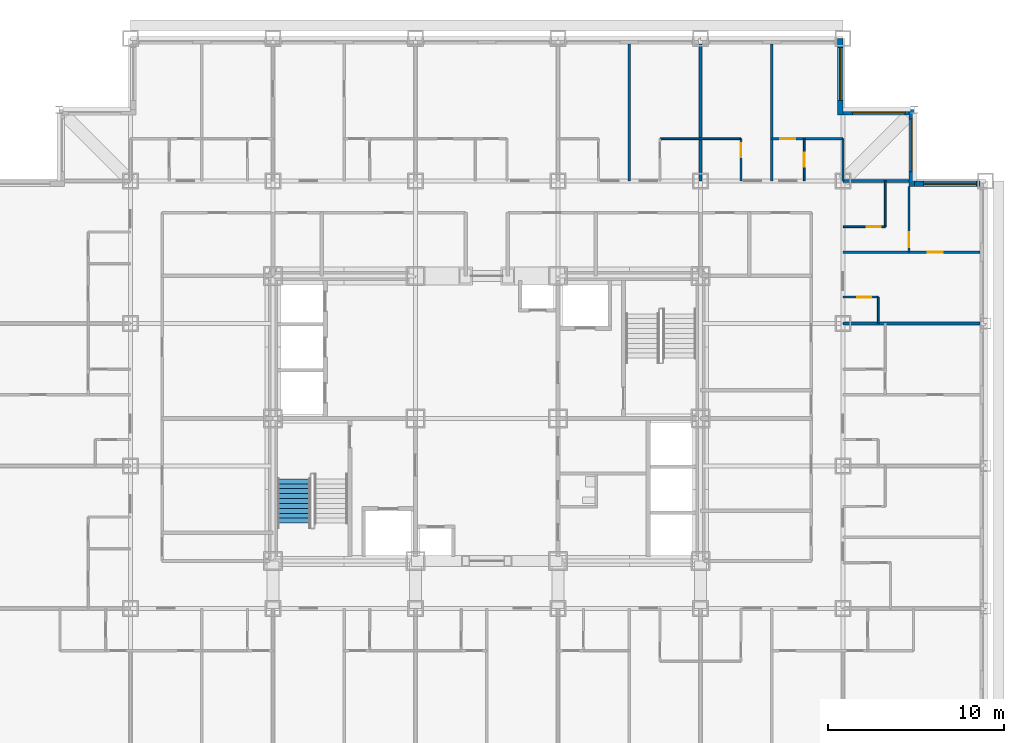
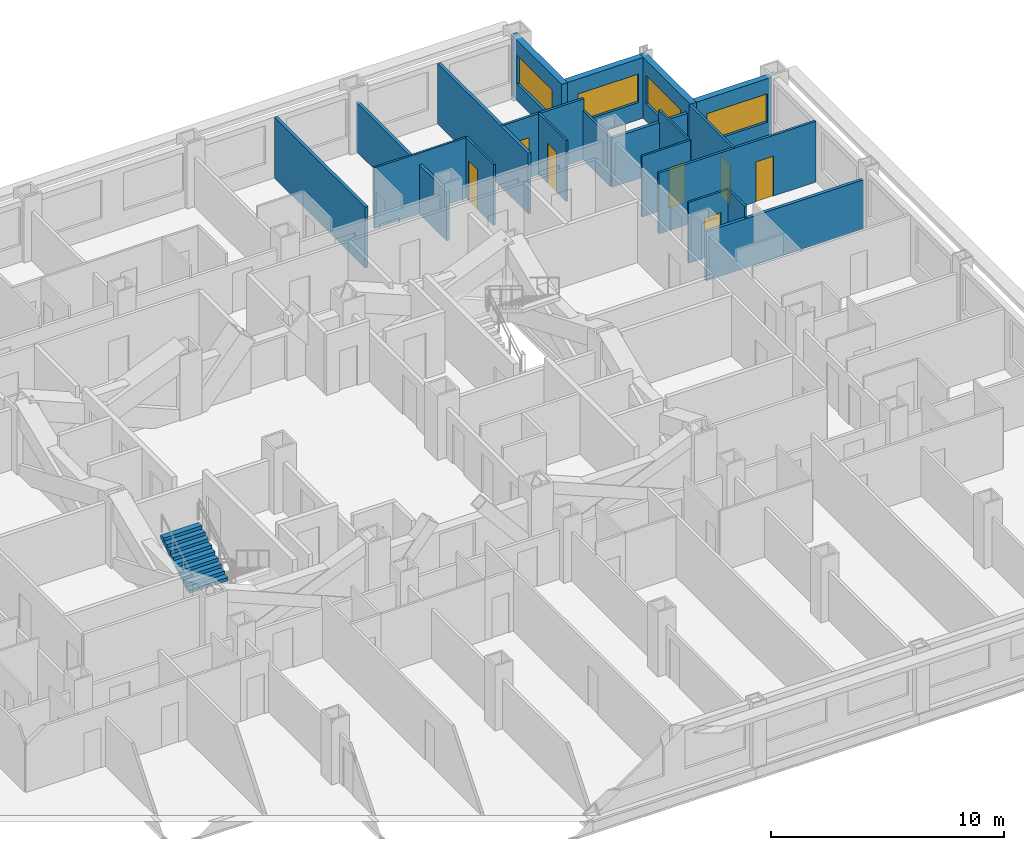
# One storey, part 11 of 14: 20 walls, 7 doors, 4 windows, 1 stair flight, 11 openings, 1 element without a shape of its own.
"""IFC4 building model written with IfcOpenShell, lengths in metres."""

from ifc_helpers import new_model, si_unit, direction, frame, frame_2d, origin, place, context, subcontext, project, spatial, rectangle, extrude, polygons, source, transform, mapped, material, layer, layer_set, type_object, element, fill, aggregate, save


model = new_model("IFC4")

# Units and contexts
model_context = context("Model", 3, precision=1e-05, world=origin(), true_north=direction((0.0, 1.0)))
body_context = subcontext(model_context, "Body", "Model", "MODEL_VIEW")
ifc_project = project(units=[si_unit("LENGTHUNIT", "METRE"), si_unit("AREAUNIT", "SQUARE_METRE"), si_unit("VOLUMEUNIT", "CUBIC_METRE"), si_unit("PLANEANGLEUNIT", "RADIAN"), si_unit("MASSUNIT", "GRAM", prefix="KILO")], contexts=[model_context])

# Site, building, storey
site_placement = place(None, origin())
site = spatial("IfcSite", under=ifc_project, at=site_placement, CompositionType="ELEMENT")
building_placement = place(site_placement, origin())
building = spatial("IfcBuilding", under=site, at=building_placement, Name="Kopane Lantern Tower", CompositionType="ELEMENT")
storey_placement = place(building_placement, frame((0.0, 0.0, 123.800048828125)))
storey = spatial("IfcBuildingStorey", under=building, at=storey_placement, Name="L31", CompositionType="ELEMENT", Elevation=123.800048828125)

# Wall, opening, door
ifc_material_1 = material(Name="Gypsum board on steel studs", Category="steel")
ifc_layer_1 = layer(ifc_material_1, 0.1201171875)
ifc_layer_set_1 = layer_set([ifc_layer_1], Name="APARTMENT INTERNAL WALL 120")
wall_type_1 = type_object("IfcWallType", Name="APARTMENT INTERNAL WALL 120", PredefinedType="PARTITIONING", material=ifc_layer_set_1)
wall_1_placement = place(storey_placement, frame((48.60009765625, 41.85009765625, 0.0), z_axis=(0.0, 0.0, 1.0), x_axis=(1.0, 0.0, 0.0)))
wall_1 = element("IfcWall", 1, at=wall_1_placement, inside=storey, type_object=wall_type_1, Name="Apartment Internal Wall 120 L31", PredefinedType="PARTITIONING", context=body_context, shape_type="SweptSolid", body=[
    extrude(rectangle(XDim=7.7998046875, YDim=0.1201171875, at=frame_2d((3.89990234375, 0.0))), origin(), (0.0, 0.0, 1.0), 3.18994140625),
])
opening_1_placement = place(wall_1_placement, frame((4.824951171875, 0.0, 0.0)))
opening_1 = element("IfcOpeningElement", 2, at=opening_1_placement, cuts=wall_1, Name="Opening L31-064", PredefinedType="OPENING", context=body_context, shape_type="SweptSolid", body=[
    extrude(rectangle(XDim=0.85009765625, YDim=2.10009765625, at=frame_2d((0.425048828125, 1.050048828125))), frame((0.0, 0.070068359375, 0.0), z_axis=(0.0, -1.0, 0.0), x_axis=(1.0, 0.0, 0.0)), (0.0, 0.0, 1.0), 0.14013671875),
])
ifc_material_2 = material(Name="Timber door set", Category="wood")
door_type_1 = type_object("IfcDoorType", Name="DOOR D4 850x2100", OperationType="SINGLE_SWING_LEFT", PredefinedType="DOOR", material=ifc_material_2)
door_1_placement = place(opening_1_placement, origin())
door_1 = element("IfcDoor", 3, at=door_1_placement, inside=storey, type_object=door_type_1, Name="Door L31-064", OperationType="SINGLE_SWING_LEFT", OverallHeight=2.10009765625, OverallWidth=0.85009765625, PredefinedType="DOOR", context=body_context, shape_type="SweptSolid", body=[
    extrude(rectangle(XDim=0.85009765625, YDim=2.10009765625, at=frame_2d((0.425048828125, 1.050048828125))), frame((0.0, 0.02490234375, 0.0), z_axis=(0.0, -1.0, 0.0), x_axis=(1.0, 0.0, 0.0)), (0.0, 0.0, 1.0), 0.050048828125),
])
fill(opening_1, door_1)

wall_2_placement = place(storey_placement, frame((44.550048828125, 48.300048828125, 0.0), z_axis=(0.0, 0.0, 1.0), x_axis=(1.0, 0.0, 0.0)))
wall_2 = element("IfcWall", 4, at=wall_2_placement, inside=storey, type_object=wall_type_1, Name="Apartment Internal Wall 120 L31", PredefinedType="PARTITIONING", context=body_context, shape_type="SweptSolid", body=[
    extrude(rectangle(XDim=4.050048828125, YDim=0.1201171875, at=frame_2d((2.02490234375, 0.0))), origin(), (0.0, 0.0, 1.0), 3.18994140625),
])
opening_2_placement = place(wall_2_placement, frame((0.47509765625, 0.0, 0.0)))
opening_2 = element("IfcOpeningElement", 5, at=opening_2_placement, cuts=wall_2, Name="Opening L31-075", PredefinedType="OPENING", context=body_context, shape_type="SweptSolid", body=[
    extrude(rectangle(XDim=0.85009765625, YDim=2.10009765625, at=frame_2d((0.425048828125, 1.050048828125))), frame((0.0, 0.070068359375, 0.0), z_axis=(0.0, -1.0, 0.0), x_axis=(1.0, 0.0, 0.0)), (0.0, 0.0, 1.0), 0.14013671875),
])
door_2_placement = place(opening_2_placement, origin())
door_2 = element("IfcDoor", 6, at=door_2_placement, inside=storey, type_object=door_type_1, Name="Door L31-075", OperationType="SINGLE_SWING_LEFT", OverallHeight=2.10009765625, OverallWidth=0.85009765625, PredefinedType="DOOR", context=body_context, shape_type="SweptSolid", body=[
    extrude(rectangle(XDim=0.85009765625, YDim=2.10009765625, at=frame_2d((0.425048828125, 1.050048828125))), frame((0.0, 0.02490234375, 0.0), z_axis=(0.0, -1.0, 0.0), x_axis=(1.0, 0.0, 0.0)), (0.0, 0.0, 1.0), 0.050048828125),
])
fill(opening_2, door_2)

wall_3_placement = place(storey_placement, frame((52.35009765625, 45.60009765625, 0.0), z_axis=(0.0, 0.0, 1.0), x_axis=(0.0, -1.0, 0.0)))
wall_3 = element("IfcWall", 7, at=wall_3_placement, inside=storey, type_object=wall_type_1, Name="Apartment Internal Wall 120 L31", PredefinedType="PARTITIONING", context=body_context, shape_type="SweptSolid", body=[
    extrude(rectangle(XDim=3.75, YDim=0.1201171875, at=frame_2d((1.875, 0.0))), origin(), (0.0, 0.0, 1.0), 3.18994140625),
])
opening_3_placement = place(wall_3_placement, frame((2.625, 0.0, 0.0)))
opening_3 = element("IfcOpeningElement", 8, at=opening_3_placement, cuts=wall_3, Name="Opening L31-087", PredefinedType="OPENING", context=body_context, shape_type="SweptSolid", body=[
    extrude(rectangle(XDim=0.85009765625, YDim=2.10009765625, at=frame_2d((0.425048828125, 1.050048828125))), frame((0.0, 0.070068359375, 0.0), z_axis=(0.0, -1.0, 0.0), x_axis=(1.0, 0.0, 0.0)), (0.0, 0.0, 1.0), 0.14013671875),
])
door_3_placement = place(opening_3_placement, origin())
door_3 = element("IfcDoor", 9, at=door_3_placement, inside=storey, type_object=door_type_1, Name="Door L31-087", OperationType="SINGLE_SWING_RIGHT", OverallHeight=2.10009765625, OverallWidth=0.85009765625, PredefinedType="DOOR", context=body_context, shape_type="SweptSolid", body=[
    extrude(rectangle(XDim=0.85009765625, YDim=2.10009765625, at=frame_2d((0.425048828125, 1.050048828125))), frame((0.0, 0.02490234375, 0.0), z_axis=(0.0, -1.0, 0.0), x_axis=(1.0, 0.0, 0.0)), (0.0, 0.0, 1.0), 0.050048828125),
])
fill(opening_3, door_3)

# Wall
ifc_material_3 = material(Name="Moisture-resistant board on steel studs", Category="steel")
ifc_layer_2 = layer(ifc_material_3, 0.10009765625)
ifc_layer_set_2 = layer_set([ifc_layer_2], Name="BATHROOM WALL 100")
wall_type_2 = type_object("IfcWallType", Name="BATHROOM WALL 100", PredefinedType="PARTITIONING", material=ifc_layer_set_2)
wall_4_placement = place(storey_placement, frame((38.199951171875, 48.300048828125, 0.0), z_axis=(0.0, 0.0, 1.0), x_axis=(1.0, 0.0, 0.0)))
element("IfcWall", 10, at=wall_4_placement, inside=storey, type_object=wall_type_2, Name="Bathroom Wall 100 L31", PredefinedType="PARTITIONING", context=body_context, shape_type="SweptSolid", body=[
    extrude(rectangle(XDim=4.60009765625, YDim=0.10009765625, at=frame_2d((2.300048828125, 0.0))), origin(), (0.0, 0.0, 1.0), 3.18994140625),
])

# Wall, opening, door
wall_5_placement = place(storey_placement, frame((42.800048828125, 45.89990234375, 0.0), z_axis=(0.0, 0.0, 1.0), x_axis=(0.0, 1.0, 0.0)))
wall_5 = element("IfcWall", 11, at=wall_5_placement, inside=storey, type_object=wall_type_2, Name="Bathroom Wall 100 L31", PredefinedType="PARTITIONING", context=body_context, shape_type="SweptSolid", body=[
    extrude(rectangle(XDim=2.400146484375, YDim=0.10009765625, at=frame_2d((1.2001953125, 0.0))), origin(), (0.0, 0.0, 1.0), 3.18994140625),
])
opening_4_placement = place(wall_5_placement, frame((1.35009765625, 0.0, 0.0)))
opening_4 = element("IfcOpeningElement", 12, at=opening_4_placement, cuts=wall_5, Name="Opening L31-041", PredefinedType="OPENING", context=body_context, shape_type="SweptSolid", body=[
    extrude(rectangle(XDim=0.800048828125, YDim=2.10009765625, at=frame_2d((0.39990234375, 1.050048828125))), frame((0.0, 0.06005859375, 0.0), z_axis=(0.0, -1.0, 0.0), x_axis=(1.0, 0.0, 0.0)), (0.0, 0.0, 1.0), 0.1201171875),
])
ifc_material_4 = material(Name="Timber door set", Category="wood")
door_type_2 = type_object("IfcDoorType", Name="DOOR D2 800x2100", OperationType="SINGLE_SWING_LEFT", PredefinedType="DOOR", material=ifc_material_4)
door_4_placement = place(opening_4_placement, origin())
door_4 = element("IfcDoor", 13, at=door_4_placement, inside=storey, type_object=door_type_2, Name="Door L31-041", OperationType="SINGLE_SWING_RIGHT", OverallHeight=2.10009765625, OverallWidth=0.800048828125, PredefinedType="DOOR", context=body_context, shape_type="SweptSolid", body=[
    extrude(rectangle(XDim=0.800048828125, YDim=2.10009765625, at=frame_2d((0.39990234375, 1.050048828125))), frame((0.0, 0.02490234375, 0.0), z_axis=(0.0, -1.0, 0.0), x_axis=(1.0, 0.0, 0.0)), (0.0, 0.0, 1.0), 0.050048828125),
])
fill(opening_4, door_4)

# Wall
wall_6_placement = place(storey_placement, frame((50.60009765625, 37.800048828125, 0.0), z_axis=(0.0, 0.0, 1.0), x_axis=(0.0, 1.0, 0.0)))
element("IfcWall", 14, at=wall_6_placement, inside=storey, type_object=wall_type_2, Name="Bathroom Wall 100 L31", PredefinedType="PARTITIONING", context=body_context, shape_type="SweptSolid", body=[
    extrude(rectangle(XDim=1.5, YDim=0.10009765625, at=frame_2d((0.75, 0.0))), origin(), (0.0, 0.0, 1.0), 3.18994140625),
])

# Wall, opening, door
wall_7_placement = place(storey_placement, frame((48.60009765625, 39.300048828125, 0.0), z_axis=(0.0, 0.0, 1.0), x_axis=(1.0, 0.0, 0.0)))
wall_7 = element("IfcWall", 15, at=wall_7_placement, inside=storey, type_object=wall_type_2, Name="Bathroom Wall 100 L31", PredefinedType="PARTITIONING", context=body_context, shape_type="SweptSolid", body=[
    extrude(rectangle(XDim=2.0, YDim=0.10009765625, at=frame_2d((1.0, 0.0))), origin(), (0.0, 0.0, 1.0), 3.18994140625),
])
opening_5_placement = place(wall_7_placement, frame((0.800048828125, 0.0, 0.0)))
opening_5 = element("IfcOpeningElement", 16, at=opening_5_placement, cuts=wall_7, Name="Opening L31-061", PredefinedType="OPENING", context=body_context, shape_type="SweptSolid", body=[
    extrude(rectangle(XDim=0.800048828125, YDim=2.10009765625, at=frame_2d((0.39990234375, 1.050048828125))), frame((0.0, 0.06005859375, 0.0), z_axis=(0.0, -1.0, 0.0), x_axis=(1.0, 0.0, 0.0)), (0.0, 0.0, 1.0), 0.1201171875),
])
door_5_placement = place(opening_5_placement, origin())
door_5 = element("IfcDoor", 17, at=door_5_placement, inside=storey, type_object=door_type_2, Name="Door L31-061", OperationType="SINGLE_SWING_LEFT", OverallHeight=2.10009765625, OverallWidth=0.800048828125, PredefinedType="DOOR", context=body_context, shape_type="SweptSolid", body=[
    extrude(rectangle(XDim=0.800048828125, YDim=2.10009765625, at=frame_2d((0.39990234375, 1.050048828125))), frame((0.0, 0.02490234375, 0.0), z_axis=(0.0, -1.0, 0.0), x_axis=(1.0, 0.0, 0.0)), (0.0, 0.0, 1.0), 0.050048828125),
])
fill(opening_5, door_5)

# Wall
wall_8_placement = place(storey_placement, frame((51.0, 43.300048828125, 0.0), z_axis=(0.0, 0.0, 1.0), x_axis=(0.0, 1.0, 0.0)))
element("IfcWall", 18, at=wall_8_placement, inside=storey, type_object=wall_type_2, Name="Bathroom Wall 100 L31", PredefinedType="PARTITIONING", context=body_context, shape_type="SweptSolid", body=[
    extrude(rectangle(XDim=2.599853515625, YDim=0.10009765625, at=frame_2d((1.2998046875, 0.0))), origin(), (0.0, 0.0, 1.0), 3.18994140625),
])

# Wall, opening, door
wall_9_placement = place(storey_placement, frame((48.60009765625, 43.300048828125, 0.0), z_axis=(0.0, 0.0, 1.0), x_axis=(1.0, 0.0, 0.0)))
wall_9 = element("IfcWall", 19, at=wall_9_placement, inside=storey, type_object=wall_type_2, Name="Bathroom Wall 100 L31", PredefinedType="PARTITIONING", context=body_context, shape_type="SweptSolid", body=[
    extrude(rectangle(XDim=2.39990234375, YDim=0.10009765625, at=frame_2d((1.199951171875, 0.0))), origin(), (0.0, 0.0, 1.0), 3.18994140625),
])
opening_6_placement = place(wall_9_placement, frame((1.35009765625, 0.0, 0.0)))
opening_6 = element("IfcOpeningElement", 20, at=opening_6_placement, cuts=wall_9, Name="Opening L31-063", PredefinedType="OPENING", context=body_context, shape_type="SweptSolid", body=[
    extrude(rectangle(XDim=0.800048828125, YDim=2.10009765625, at=frame_2d((0.39990234375, 1.050048828125))), frame((0.0, 0.06005859375, 0.0), z_axis=(0.0, -1.0, 0.0), x_axis=(1.0, 0.0, 0.0)), (0.0, 0.0, 1.0), 0.1201171875),
])
door_6_placement = place(opening_6_placement, origin())
door_6 = element("IfcDoor", 21, at=door_6_placement, inside=storey, type_object=door_type_2, Name="Door L31-063", OperationType="SINGLE_SWING_RIGHT", OverallHeight=2.10009765625, OverallWidth=0.800048828125, PredefinedType="DOOR", context=body_context, shape_type="SweptSolid", body=[
    extrude(rectangle(XDim=0.800048828125, YDim=2.10009765625, at=frame_2d((0.39990234375, 1.050048828125))), frame((0.0, 0.02490234375, 0.0), z_axis=(0.0, -1.0, 0.0), x_axis=(1.0, 0.0, 0.0)), (0.0, 0.0, 1.0), 0.050048828125),
])
fill(opening_6, door_6)

wall_10_placement = place(storey_placement, frame((46.39990234375, 45.89990234375, 0.0), z_axis=(0.0, 0.0, 1.0), x_axis=(0.0, 1.0, 0.0)))
wall_10 = element("IfcWall", 22, at=wall_10_placement, inside=storey, type_object=wall_type_2, Name="Bathroom Wall 100 L31", PredefinedType="PARTITIONING", context=body_context, shape_type="SweptSolid", body=[
    extrude(rectangle(XDim=2.400146484375, YDim=0.10009765625, at=frame_2d((1.2001953125, 0.0))), origin(), (0.0, 0.0, 1.0), 3.18994140625),
])
opening_7_placement = place(wall_10_placement, frame((0.800048828125, 0.0, 0.0)))
opening_7 = element("IfcOpeningElement", 23, at=opening_7_placement, cuts=wall_10, Name="Opening L31-073", PredefinedType="OPENING", context=body_context, shape_type="SweptSolid", body=[
    extrude(rectangle(XDim=0.800048828125, YDim=2.10009765625, at=frame_2d((0.39990234375, 1.050048828125))), frame((0.0, 0.06005859375, 0.0), z_axis=(0.0, -1.0, 0.0), x_axis=(1.0, 0.0, 0.0)), (0.0, 0.0, 1.0), 0.1201171875),
])
door_7_placement = place(opening_7_placement, origin())
door_7 = element("IfcDoor", 24, at=door_7_placement, inside=storey, type_object=door_type_2, Name="Door L31-073", OperationType="SINGLE_SWING_RIGHT", OverallHeight=2.10009765625, OverallWidth=0.800048828125, PredefinedType="DOOR", context=body_context, shape_type="SweptSolid", body=[
    extrude(rectangle(XDim=0.800048828125, YDim=2.10009765625, at=frame_2d((0.39990234375, 1.050048828125))), frame((0.0, 0.02490234375, 0.0), z_axis=(0.0, -1.0, 0.0), x_axis=(1.0, 0.0, 0.0)), (0.0, 0.0, 1.0), 0.050048828125),
])
fill(opening_7, door_7)

# Walls
wall_11_placement = place(storey_placement, frame((48.60009765625, 45.89990234375, 0.0), z_axis=(0.0, 0.0, 1.0), x_axis=(0.0, 1.0, 0.0)))
element("IfcWall", 25, at=wall_11_placement, inside=storey, type_object=wall_type_2, Name="Bathroom Wall 100 L31", PredefinedType="PARTITIONING", context=body_context, shape_type="SweptSolid", body=[
    extrude(rectangle(XDim=2.400146484375, YDim=0.10009765625, at=frame_2d((1.2001953125, 0.0))), origin(), (0.0, 0.0, 1.0), 2.57763671875),
])
ifc_material_5 = material(Name="Gypsum board on steel studs", Category="steel")
ifc_layer_3 = layer(ifc_material_5, 0.14990234375)
ifc_layer_set_3 = layer_set([ifc_layer_3], Name="DEMISING WALL 150 EI 60")
wall_type_3 = type_object("IfcWallType", Name="DEMISING WALL 150 EI 60", PredefinedType="PARTITIONING", material=ifc_layer_set_3)
wall_12_placement = place(storey_placement, frame((36.449951171875, 45.89990234375, 0.0), z_axis=(0.0, 0.0, 1.0), x_axis=(0.0, 1.0, 0.0)))
element("IfcWall", 26, at=wall_12_placement, inside=storey, type_object=wall_type_3, Name="Demising Wall 150 Ei 60 L31", PredefinedType="PARTITIONING", context=body_context, shape_type="SweptSolid", body=[
    extrude(rectangle(XDim=7.800048828125, YDim=0.14990234375, at=frame_2d((3.89990234375, 0.0))), origin(), (0.0, 0.0, 1.0), 3.18994140625),
])
wall_13_placement = place(storey_placement, frame((40.5, 45.89990234375, 0.0), z_axis=(0.0, 0.0, 1.0), x_axis=(0.0, 1.0, 0.0)))
element("IfcWall", 27, at=wall_13_placement, inside=storey, type_object=wall_type_3, Name="Demising Wall 150 Ei 60 L31", PredefinedType="PARTITIONING", context=body_context, shape_type="SweptSolid", body=[
    extrude(rectangle(XDim=7.800048828125, YDim=0.14990234375, at=frame_2d((3.89990234375, 0.0))), origin(), (0.0, 0.0, 1.0), 2.57763671875),
])
wall_14_placement = place(storey_placement, frame((48.60009765625, 37.800048828125, 0.0), z_axis=(0.0, 0.0, 1.0), x_axis=(1.0, 0.0, 0.0)))
element("IfcWall", 28, at=wall_14_placement, inside=storey, type_object=wall_type_3, Name="Demising Wall 150 Ei 60 L31", PredefinedType="PARTITIONING", context=body_context, shape_type="SweptSolid", body=[
    extrude(rectangle(XDim=7.7998046875, YDim=0.14990234375, at=frame_2d((3.89990234375, 0.0))), origin(), (0.0, 0.0, 1.0), 2.57763671875),
])
wall_15_placement = place(storey_placement, frame((48.60009765625, 45.89990234375, 0.0), z_axis=(0.0, 0.0, 1.0), x_axis=(1.0, 0.0, 0.0)))
element("IfcWall", 29, at=wall_15_placement, inside=storey, type_object=wall_type_3, Name="Demising Wall 150 Ei 60 L31", PredefinedType="PARTITIONING", context=body_context, shape_type="SweptSolid", body=[
    extrude(rectangle(XDim=3.75, YDim=0.14990234375, at=frame_2d((1.875, 0.0))), origin(), (0.0, 0.0, 1.0), 2.57763671875),
])
wall_16_placement = place(storey_placement, frame((44.550048828125, 45.89990234375, 0.0), z_axis=(0.0, 0.0, 1.0), x_axis=(0.0, 1.0, 0.0)))
element("IfcWall", 30, at=wall_16_placement, inside=storey, type_object=wall_type_3, Name="Demising Wall 150 Ei 60 L31", PredefinedType="PARTITIONING", context=body_context, shape_type="SweptSolid", body=[
    extrude(rectangle(XDim=7.800048828125, YDim=0.14990234375, at=frame_2d((3.89990234375, 0.0))), origin(), (0.0, 0.0, 1.0), 3.18994140625),
])

# Wall, opening, window
ifc_material_6 = material(Name="Terracotta rainscreen on light steel framing", Category="masonry")
ifc_layer_4 = layer(ifc_material_6, 0.300048828125)
ifc_layer_set_4 = layer_set([ifc_layer_4], Name="EXTERNAL WALL EW1 300 TERRACOTTA")
wall_type_4 = type_object("IfcWallType", Name="EXTERNAL WALL EW1 300 TERRACOTTA", PredefinedType="SOLIDWALL", material=ifc_layer_set_4)
wall_17_placement = place(storey_placement, frame((56.39990234375, 45.75, 0.0), z_axis=(0.0, 0.0, 1.0), x_axis=(-1.0, 0.0, 0.0)))
wall_17 = element("IfcWall", 31, at=wall_17_placement, inside=storey, type_object=wall_type_4, Name="External wall N L31", PredefinedType="SOLIDWALL", context=body_context, shape_type="SweptSolid", body=[
    extrude(rectangle(XDim=3.75, YDim=0.300048828125, at=frame_2d((1.875, 0.0))), origin(), (0.0, 0.0, 1.0), 3.18994140625),
])
opening_8_placement = place(wall_17_placement, frame((0.22509765625, 0.0, 0.89990234375)))
opening_8 = element("IfcOpeningElement", 32, at=opening_8_placement, cuts=wall_17, Name="Opening WR300150", PredefinedType="OPENING", context=body_context, shape_type="SweptSolid", body=[
    extrude(rectangle(XDim=3.0, YDim=1.5, at=frame_2d((1.5, 0.75))), frame((0.0, 0.159912109375, 0.0), z_axis=(0.0, -1.0, 0.0), x_axis=(1.0, 0.0, 0.0)), (0.0, 0.0, 1.0), 0.320068359375),
])
ifc_material_7 = material(Name="Aluminium and clear glass", Category="aluminium")
window_type = type_object("IfcWindowType", Name="RIBBON WINDOW WR300150 3000x1500", PartitioningType="SINGLE_PANEL", PredefinedType="WINDOW", material=ifc_material_7)
window_1_placement = place(opening_8_placement, origin())
window_1 = element("IfcWindow", 33, at=window_1_placement, inside=storey, type_object=window_type, Name="Window N L31", OverallHeight=1.5, OverallWidth=3.0, PartitioningType="SINGLE_PANEL", PredefinedType="WINDOW", context=body_context, shape_type="SweptSolid", body=[
    extrude(rectangle(XDim=3.0, YDim=1.5, at=frame_2d((1.5, 0.75))), frame((0.0, 0.030029296875, 0.0), z_axis=(0.0, -1.0, 0.0), x_axis=(1.0, 0.0, 0.0)), (0.0, 0.0, 1.0), 0.06005859375),
])
fill(opening_8, window_1)

wall_18_placement = place(storey_placement, frame((52.5, 45.60009765625, 0.0), z_axis=(0.0, 0.0, 1.0), x_axis=(0.0, 1.0, 0.0)))
wall_18 = element("IfcWall", 34, at=wall_18_placement, inside=storey, type_object=wall_type_4, Name="External wall E L31", PredefinedType="SOLIDWALL", context=body_context, shape_type="SweptSolid", body=[
    extrude(rectangle(XDim=4.349853515625, YDim=0.300048828125, at=frame_2d((2.1748046875, 0.0))), origin(), (0.0, 0.0, 1.0), 3.18994140625),
])
opening_9_placement = place(wall_18_placement, frame((0.824951171875, 0.0, 0.89990234375)))
opening_9 = element("IfcOpeningElement", 35, at=opening_9_placement, cuts=wall_18, Name="Opening WR300150", PredefinedType="OPENING", context=body_context, shape_type="SweptSolid", body=[
    extrude(rectangle(XDim=3.0, YDim=1.5, at=frame_2d((1.5, 0.75))), frame((0.0, 0.159912109375, 0.0), z_axis=(0.0, -1.0, 0.0), x_axis=(1.0, 0.0, 0.0)), (0.0, 0.0, 1.0), 0.320068359375),
])
window_2_placement = place(opening_9_placement, origin())
window_2 = element("IfcWindow", 36, at=window_2_placement, inside=storey, type_object=window_type, Name="Window E L31", OverallHeight=1.5, OverallWidth=3.0, PartitioningType="SINGLE_PANEL", PredefinedType="WINDOW", context=body_context, shape_type="SweptSolid", body=[
    extrude(rectangle(XDim=3.0, YDim=1.5, at=frame_2d((1.5, 0.75))), frame((0.0, 0.030029296875, 0.0), z_axis=(0.0, -1.0, 0.0), x_axis=(1.0, 0.0, 0.0)), (0.0, 0.0, 1.0), 0.06005859375),
])
fill(opening_9, window_2)

wall_19_placement = place(storey_placement, frame((52.35009765625, 49.800048828125, 0.0), z_axis=(0.0, 0.0, 1.0), x_axis=(-1.0, 0.0, 0.0)))
wall_19 = element("IfcWall", 37, at=wall_19_placement, inside=storey, type_object=wall_type_4, Name="External wall N L31", PredefinedType="SOLIDWALL", context=body_context, shape_type="SweptSolid", body=[
    extrude(rectangle(XDim=3.75, YDim=0.300048828125, at=frame_2d((1.875, 0.0))), origin(), (0.0, 0.0, 1.0), 3.18994140625),
])
opening_10_placement = place(wall_19_placement, frame((0.22509765625, 0.0, 0.89990234375)))
opening_10 = element("IfcOpeningElement", 38, at=opening_10_placement, cuts=wall_19, Name="Opening WR300150", PredefinedType="OPENING", context=body_context, shape_type="SweptSolid", body=[
    extrude(rectangle(XDim=3.0, YDim=1.5, at=frame_2d((1.5, 0.75))), frame((0.0, 0.159912109375, 0.0), z_axis=(0.0, -1.0, 0.0), x_axis=(1.0, 0.0, 0.0)), (0.0, 0.0, 1.0), 0.320068359375),
])
window_3_placement = place(opening_10_placement, origin())
window_3 = element("IfcWindow", 39, at=window_3_placement, inside=storey, type_object=window_type, Name="Window N L31", OverallHeight=1.5, OverallWidth=3.0, PartitioningType="SINGLE_PANEL", PredefinedType="WINDOW", context=body_context, shape_type="SweptSolid", body=[
    extrude(rectangle(XDim=3.0, YDim=1.5, at=frame_2d((1.5, 0.75))), frame((0.0, 0.030029296875, 0.0), z_axis=(0.0, -1.0, 0.0), x_axis=(1.0, 0.0, 0.0)), (0.0, 0.0, 1.0), 0.06005859375),
])
fill(opening_10, window_3)

wall_20_placement = place(storey_placement, frame((48.449951171875, 49.64990234375, 0.0), z_axis=(0.0, 0.0, 1.0), x_axis=(0.0, 1.0, 0.0)))
wall_20 = element("IfcWall", 40, at=wall_20_placement, inside=storey, type_object=wall_type_4, Name="External wall E L31", PredefinedType="SOLIDWALL", context=body_context, shape_type="SweptSolid", body=[
    extrude(rectangle(XDim=4.35009765625, YDim=0.300048828125, at=frame_2d((2.175048828125, 0.0))), origin(), (0.0, 0.0, 1.0), 3.18994140625),
])
opening_11_placement = place(wall_20_placement, frame((0.824951171875, 0.0, 0.89990234375)))
opening_11 = element("IfcOpeningElement", 41, at=opening_11_placement, cuts=wall_20, Name="Opening WR300150", PredefinedType="OPENING", context=body_context, shape_type="SweptSolid", body=[
    extrude(rectangle(XDim=3.0, YDim=1.5, at=frame_2d((1.5, 0.75))), frame((0.0, 0.159912109375, 0.0), z_axis=(0.0, -1.0, 0.0), x_axis=(1.0, 0.0, 0.0)), (0.0, 0.0, 1.0), 0.320068359375),
])
window_4_placement = place(opening_11_placement, origin())
window_4 = element("IfcWindow", 42, at=window_4_placement, inside=storey, type_object=window_type, Name="Window E L31", OverallHeight=1.5, OverallWidth=3.0, PartitioningType="SINGLE_PANEL", PredefinedType="WINDOW", context=body_context, shape_type="SweptSolid", body=[
    extrude(rectangle(XDim=3.0, YDim=1.5, at=frame_2d((1.5, 0.75))), frame((0.0, 0.030029296875, 0.0), z_axis=(0.0, -1.0, 0.0), x_axis=(1.0, 0.0, 0.0)), (0.0, 0.0, 1.0), 0.06005859375),
])
fill(opening_11, window_4)

# Stair, stair flight
ifc_material_8 = material(Name="Steel S355JR", Category="steel")
stair_type = type_object("IfcStairType", Name="EXIT STAIR 1900 HALF TURN", PredefinedType="HALF_TURN_STAIR", material=ifc_material_8)
stair_placement = place(storey_placement, origin())
stair = element("IfcStair", 43, at=stair_placement, inside=storey, type_object=stair_type, Name="Exit stair ST1 L31", PredefinedType="HALF_TURN_STAIR")
ifc_material_9 = material(Name="Steel S355JR", Category="steel")
stair_flight_type = type_object("IfcStairFlightType", Name="STAIR FLIGHT 1900 STEEL", PredefinedType="STRAIGHT", material=ifc_material_9)
shared_shape = source(origin(), body_context, "Body", "Tessellation", [
    polygons([(2.520019531, 0.949951172, 1.530029297), (2.239990234, 0.949951172, 1.530029297), (2.239990234, -0.949951172, 1.530029297), (2.520019531, -0.949951172, 1.530029297), (0.288818359, 0.949951172, 0.0), (2.520019531, 0.949951172, 1.354736328), (2.520019531, -0.949951172, 1.354736328), (0.288818359, -0.949951172, 0.0), (0.0, 0.949951172, 0.0), (0.0, -0.949951172, 0.0), (0.280029297, 0.949951172, 0.169921875), (0.0, 0.949951172, 0.169921875), (0.0, -0.949951172, 0.169921875), (0.280029297, -0.949951172, 0.169921875), (0.280029297, 0.949951172, 0.340087891), (0.280029297, -0.949951172, 0.340087891), (0.560058594, 0.949951172, 0.340087891), (0.560058594, -0.949951172, 0.340087891), (0.560058594, 0.949951172, 0.510009766), (0.560058594, -0.949951172, 0.510009766), (0.840087891, 0.949951172, 0.510009766), (0.840087891, -0.949951172, 0.510009766), (0.840087891, 0.949951172, 0.679931641), (0.840087891, -0.949951172, 0.679931641), (1.120117188, 0.949951172, 0.679931641), (1.120117188, -0.949951172, 0.679931641), (1.120117188, 0.949951172, 0.850097656), (1.120117188, -0.949951172, 0.850097656), (1.399902344, 0.949951172, 0.850097656), (1.399902344, -0.949951172, 0.850097656), (1.399902344, 0.949951172, 1.020019531), (1.399902344, -0.949951172, 1.020019531), (1.679931641, 0.949951172, 1.020019531), (1.679931641, -0.949951172, 1.020019531), (1.679931641, 0.949951172, 1.189941406), (1.679931641, -0.949951172, 1.189941406), (1.959960938, 0.949951172, 1.189941406), (1.959960938, -0.949951172, 1.189941406), (1.959960938, 0.949951172, 1.360107422), (1.959960938, -0.949951172, 1.360107422), (2.239990234, 0.949951172, 1.360107422), (2.239990234, -0.949951172, 1.360107422), (0.0, 0.0, 0.004592483), (0.0, 0.0, 0.009184966), (0.0, 0.0, 0.013777449), (0.0, 0.0, 0.018369932), (0.0, 0.0, 0.022962416), (0.0, 0.0, 0.027554899), (0.0, 0.0, 0.032147382), (0.0, 0.0, 0.036739865), (0.0, 0.0, 0.041332348), (0.0, 0.0, 0.045924831), (0.0, 0.0, 0.050517314), (0.0, 0.0, 0.055109797), (0.0, 0.0, 0.05970228), (0.0, 0.0, 0.064294764), (0.0, 0.0, 0.068887247), (0.0, 0.0, 0.07347973), (0.0, 0.0, 0.078072213), (0.0, 0.0, 0.082664696), (0.0, 0.0, 0.087257179), (0.0, 0.0, 0.091849662), (0.0, 0.0, 0.096442145), (0.0, 0.0, 0.101034628), (0.0, 0.0, 0.105627111), (0.0, 0.0, 0.110219595), (0.0, 0.0, 0.114812078), (0.0, 0.0, 0.119404561), (0.0, 0.0, 0.123997044), (0.0, 0.0, 0.128589527), (0.0, 0.0, 0.13318201), (0.0, 0.0, 0.137774493), (0.0, 0.0, 0.142366976), (0.0, 0.0, 0.146959459), (0.0, 0.0, 0.151551943), (0.0, 0.0, 0.156144426), (0.0, 0.0, 0.160736909), (0.0, 0.0, 0.165329392), (2.520019531, 0.0, 1.359473976), (2.520019531, 0.0, 1.364211624), (2.520019531, 0.0, 1.368949272), (2.520019531, 0.0, 1.373686919), (2.520019531, 0.0, 1.378424567), (2.520019531, 0.0, 1.383162215), (2.520019531, 0.0, 1.387899863), (2.520019531, 0.0, 1.392637511), (2.520019531, 0.0, 1.397375158), (2.520019531, 0.0, 1.402112806), (2.520019531, 0.0, 1.406850454), (2.520019531, 0.0, 1.411588102), (2.520019531, 0.0, 1.41632575), (2.520019531, 0.0, 1.421063397), (2.520019531, 0.0, 1.425801045), (2.520019531, 0.0, 1.430538693), (2.520019531, 0.0, 1.435276341), (2.520019531, 0.0, 1.440013989), (2.520019531, 0.0, 1.444751636), (2.520019531, 0.0, 1.449489284), (2.520019531, 0.0, 1.454226932), (2.520019531, 0.0, 1.45896458), (2.520019531, 0.0, 1.463702228), (2.520019531, 0.0, 1.468439875), (2.520019531, 0.0, 1.473177523), (2.520019531, 0.0, 1.477915171), (2.520019531, 0.0, 1.482652819), (2.520019531, 0.0, 1.487390467), (2.520019531, 0.0, 1.492128114), (2.520019531, 0.0, 1.496865762), (2.520019531, 0.0, 1.50160341), (2.520019531, 0.0, 1.506341058), (2.520019531, 0.0, 1.511078706), (2.520019531, 0.0, 1.515816353), (2.520019531, 0.0, 1.520554001), (2.520019531, 0.0, 1.525291649)], [[[1, 2, 3]], [[1, 3, 4]], [[5, 6, 7]], [[5, 7, 8]], [[9, 5, 8]], [[9, 8, 10]], [[11, 12, 13]], [[11, 13, 14]], [[15, 11, 14]], [[15, 14, 16]], [[17, 15, 16]], [[17, 16, 18]], [[19, 17, 18]], [[19, 18, 20]], [[21, 19, 20]], [[21, 20, 22]], [[23, 21, 22]], [[23, 22, 24]], [[25, 23, 24]], [[25, 24, 26]], [[27, 25, 26]], [[27, 26, 28]], [[29, 27, 28]], [[29, 28, 30]], [[31, 29, 30]], [[31, 30, 32]], [[33, 31, 32]], [[33, 32, 34]], [[35, 33, 34]], [[35, 34, 36]], [[37, 35, 36]], [[37, 36, 38]], [[39, 37, 38]], [[39, 38, 40]], [[41, 39, 40]], [[41, 40, 42]], [[2, 41, 42]], [[2, 42, 3]], [[41, 1, 6]], [[37, 41, 6]], [[2, 1, 41]], [[33, 37, 6]], [[39, 41, 37]], [[35, 37, 33]], [[31, 33, 29]], [[5, 21, 25]], [[27, 29, 25]], [[17, 21, 5]], [[23, 25, 21]], [[11, 17, 5]], [[19, 21, 17]], [[9, 11, 5]], [[15, 17, 11]], [[12, 11, 9]], [[6, 5, 25]], [[6, 25, 29]], [[6, 29, 33]], [[7, 4, 42]], [[7, 42, 38]], [[42, 4, 3]], [[7, 38, 34]], [[38, 42, 40]], [[34, 38, 36]], [[30, 34, 32]], [[26, 22, 8]], [[26, 30, 28]], [[8, 22, 18]], [[22, 26, 24]], [[8, 18, 14]], [[18, 22, 20]], [[8, 14, 10]], [[14, 18, 16]], [[10, 14, 13]], [[26, 8, 7]], [[30, 26, 7]], [[34, 30, 7]], [[10, 43, 9]], [[10, 44, 43]], [[9, 43, 44]], [[10, 45, 44]], [[9, 44, 45]], [[10, 46, 45]], [[9, 45, 46]], [[10, 47, 46]], [[9, 46, 47]], [[10, 48, 47]], [[9, 47, 48]], [[10, 49, 48]], [[9, 48, 49]], [[10, 50, 49]], [[9, 49, 50]], [[10, 51, 50]], [[9, 50, 51]], [[10, 52, 51]], [[9, 51, 52]], [[10, 53, 52]], [[9, 52, 53]], [[10, 54, 53]], [[9, 53, 54]], [[10, 55, 54]], [[9, 54, 55]], [[10, 56, 55]], [[9, 55, 56]], [[10, 57, 56]], [[9, 56, 57]], [[10, 58, 57]], [[9, 57, 58]], [[10, 59, 58]], [[9, 58, 59]], [[10, 60, 59]], [[9, 59, 60]], [[10, 61, 60]], [[9, 60, 61]], [[10, 62, 61]], [[9, 61, 62]], [[10, 63, 62]], [[9, 62, 63]], [[10, 64, 63]], [[9, 63, 64]], [[10, 65, 64]], [[9, 64, 65]], [[10, 66, 65]], [[9, 65, 66]], [[10, 67, 66]], [[9, 66, 67]], [[10, 68, 67]], [[9, 67, 68]], [[10, 69, 68]], [[9, 68, 69]], [[10, 70, 69]], [[9, 69, 70]], [[10, 71, 70]], [[9, 70, 71]], [[10, 72, 71]], [[9, 71, 72]], [[10, 73, 72]], [[9, 72, 73]], [[10, 74, 73]], [[9, 73, 74]], [[10, 75, 74]], [[9, 74, 75]], [[10, 76, 75]], [[9, 75, 76]], [[10, 77, 76]], [[9, 76, 77]], [[10, 78, 77]], [[9, 77, 78]], [[10, 13, 78]], [[78, 13, 12]], [[9, 78, 12]], [[7, 6, 79]], [[7, 79, 80]], [[6, 80, 79]], [[7, 80, 81]], [[6, 81, 80]], [[7, 81, 82]], [[6, 82, 81]], [[7, 82, 83]], [[6, 83, 82]], [[7, 83, 84]], [[6, 84, 83]], [[7, 84, 85]], [[6, 85, 84]], [[7, 85, 86]], [[6, 86, 85]], [[7, 86, 87]], [[6, 87, 86]], [[7, 87, 88]], [[6, 88, 87]], [[7, 88, 89]], [[6, 89, 88]], [[7, 89, 90]], [[6, 90, 89]], [[7, 90, 91]], [[6, 91, 90]], [[7, 91, 92]], [[6, 92, 91]], [[7, 92, 93]], [[6, 93, 92]], [[7, 93, 94]], [[6, 94, 93]], [[7, 94, 95]], [[6, 95, 94]], [[7, 95, 96]], [[6, 96, 95]], [[7, 96, 97]], [[6, 97, 96]], [[7, 97, 98]], [[6, 98, 97]], [[7, 98, 99]], [[6, 99, 98]], [[7, 99, 100]], [[6, 100, 99]], [[7, 100, 101]], [[6, 101, 100]], [[7, 101, 102]], [[6, 102, 101]], [[7, 102, 103]], [[6, 103, 102]], [[7, 103, 104]], [[6, 104, 103]], [[7, 104, 105]], [[6, 105, 104]], [[7, 105, 106]], [[6, 106, 105]], [[7, 106, 107]], [[6, 107, 106]], [[7, 107, 108]], [[6, 108, 107]], [[7, 108, 109]], [[6, 109, 108]], [[7, 109, 110]], [[6, 110, 109]], [[7, 110, 111]], [[6, 111, 110]], [[7, 111, 112]], [[6, 112, 111]], [[7, 112, 113]], [[6, 113, 112]], [[7, 113, 114]], [[6, 114, 113]], [[7, 114, 4]], [[114, 1, 4]], [[6, 1, 114]]], closed=True),
])
stair_flight_placement = place(storey_placement, frame((17.39990234375, 26.449951171875, 1.699951171875), z_axis=(0.0, 0.0, 1.0), x_axis=(0.0, 1.0, 0.0)))
stair_flight = element("IfcStairFlight", 44, at=stair_flight_placement, type_object=stair_flight_type, Name="ST1 flight 2", NumberOfRisers=10, NumberOfTreads=9, PredefinedType="STRAIGHT", RiserHeight=0.17, TreadLength=0.28, context=body_context, shape_type="MappedRepresentation", body=[
    mapped(shared_shape, transform((0.0, 0.0, 0.0))),
])
aggregate(stair, [stair_flight])

save(model, "model.ifc")
